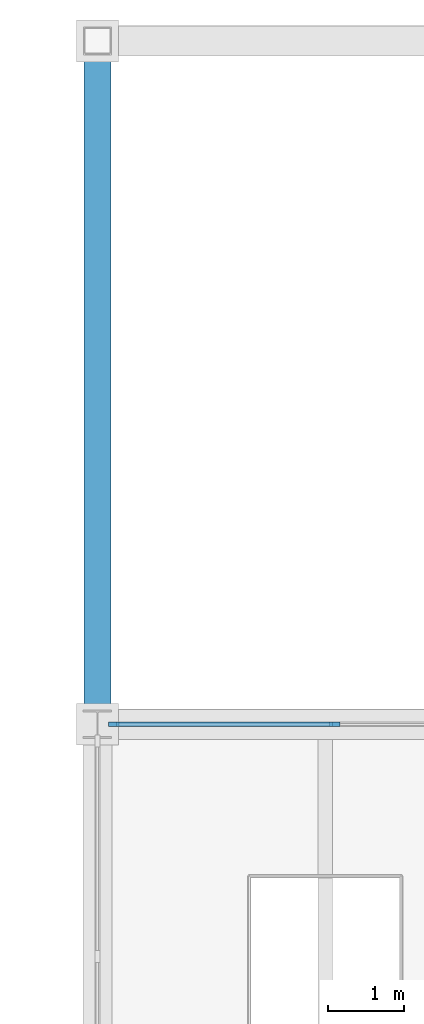
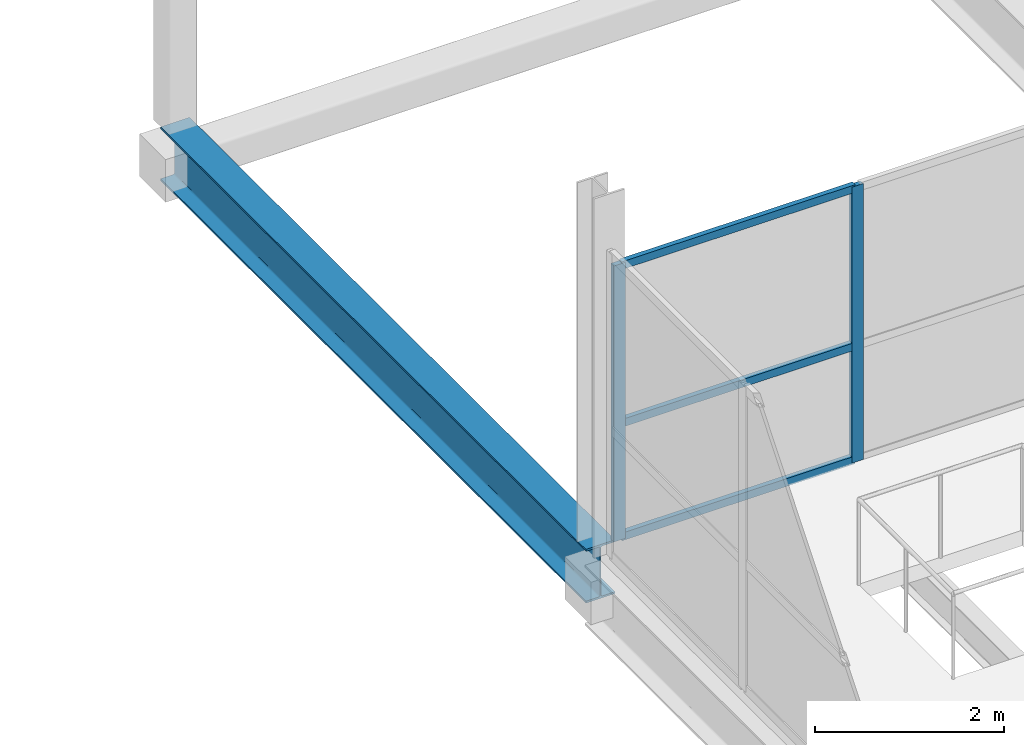
# One storey, part 30 of 69: 5 members, 1 beam, 1 element without a shape of its own.
"""IFC4 building model written with IfcOpenShell, lengths in metres."""

import ifcopenshell
import ifcopenshell.guid

model = None  # the IFC model being written
_history = None  # IfcOwnerHistory: only IFC2X3 demands one
_inside = {}  # id of a spatial element -> (the spatial element, [elements in it])
_under = {}  # id of a project, library or spatial element -> (it, [spatial elements below it])
_declared = {}  # id of a project -> (the project, [libraries it declares])
_typed = {}  # id of a type object -> (the type object, [elements of that type])
_made_of = {}  # id of a material, layer set ... -> (it, [elements and type objects made of it])


def new_model(schema):
    """Start an empty IFC model of exactly this schema.

    Asked for "IFC4X3", IfcOpenShell would pick the latest addendum, in which some entities
    have other attributes; the version numbers below select the first issue.
    IFC2X3 requires an IfcOwnerHistory on every rooted entity: one is made here for all.
    """
    global model, _history
    if schema == "IFC4X3":
        model = ifcopenshell.file(schema_version=(4, 3, 0, 0))
    else:
        model = ifcopenshell.file(schema=schema)
    _inside.clear()
    _under.clear()
    _declared.clear()
    _typed.clear()
    _made_of.clear()
    _history = None
    if model.schema == "IFC2X3":
        org = make("IfcOrganization", Name="unknown")
        user = make(
            "IfcPersonAndOrganization",
            ThePerson=make("IfcPerson", FamilyName="unknown"),
            TheOrganization=org,
        )
        app = make(
            "IfcApplication",
            ApplicationDeveloper=org,
            Version="unknown",
            ApplicationFullName="unknown",
            ApplicationIdentifier="unknown",
        )
        _history = make(
            "IfcOwnerHistory",
            OwningUser=user,
            OwningApplication=app,
            ChangeAction="ADDED",
            CreationDate=0,
        )
    return model


def make(cls, **values):
    """One entity of the class cls with the attributes given. An attribute that is None is left unset."""
    return model.create_entity(
        cls, **{name: value for name, value in values.items() if value is not None}
    )


def rooted(cls, **values):
    """An entity with a GlobalId (a new one), such as an element, a storey or a relation."""
    return make(cls, GlobalId=ifcopenshell.guid.new(), OwnerHistory=_history, **values)


def si_unit(unit_type, name, prefix=None):
    """IfcSIUnit, for example si_unit("LENGTHUNIT", "METRE", prefix="MILLI")."""
    return make("IfcSIUnit", UnitType=unit_type, Prefix=prefix, Name=name)


def assignment(units):
    """IfcUnitAssignment: the units of a project."""
    return None if units is None else make("IfcUnitAssignment", Units=units)


def point(xyz):
    """IfcCartesianPoint."""
    return None if xyz is None else make("IfcCartesianPoint", Coordinates=xyz)


def direction(xyz):
    """IfcDirection."""
    return None if xyz is None else make("IfcDirection", DirectionRatios=xyz)


def frame(location, z_axis=None, x_axis=None):
    """IfcAxis2Placement3D, a coordinate frame: its origin and axes. An axis left out is left unset."""
    return make(
        "IfcAxis2Placement3D",
        Location=point(location),
        Axis=direction(z_axis),
        RefDirection=direction(x_axis),
    )


def frame_2d(location, x_axis=None):
    """IfcAxis2Placement2D, a coordinate frame in the plane: its origin and x axis."""
    return make(
        "IfcAxis2Placement2D", Location=point(location), RefDirection=direction(x_axis)
    )


def origin():
    """The frame at (0, 0, 0) with its axes left unset."""
    return frame((0.0, 0.0, 0.0))


def origin_2d():
    """The frame at (0, 0) in the plane with its x axis left unset."""
    return frame_2d((0.0, 0.0))


def place(relative_to, where):
    """IfcLocalPlacement: puts the frame where relative to a parent placement (None: the world)."""
    return make(
        "IfcLocalPlacement", PlacementRelTo=relative_to, RelativePlacement=where
    )


def context(
    kind, dimensions, precision=None, world=None, true_north=None, identifier=None
):
    """IfcGeometricRepresentationContext, for example the 3D "Model" context."""
    return make(
        "IfcGeometricRepresentationContext",
        ContextIdentifier=identifier,
        ContextType=kind,
        CoordinateSpaceDimension=dimensions,
        Precision=precision,
        WorldCoordinateSystem=world,
        TrueNorth=true_north,
    )


def subcontext(parent, identifier, kind, view, scale=None):
    """IfcGeometricRepresentationSubContext, for example "Body" below "Model"."""
    return make(
        "IfcGeometricRepresentationSubContext",
        ContextIdentifier=identifier,
        ContextType=kind,
        ParentContext=parent,
        TargetScale=scale,
        TargetView=view,
    )


def project(units=None, contexts=None):
    """IfcProject with its units and contexts."""
    return rooted(
        "IfcProject",
        Name="project",
        RepresentationContexts=contexts,
        UnitsInContext=assignment(units),
    )


def spatial(cls, under=None, at=None, **own):
    """A site, building, storey or space (cls), placed at a placement, below another one or the project."""
    s = rooted(cls, ObjectPlacement=at, **own)
    if under is not None:
        _under.setdefault(under.id(), (under, []))[1].append(s)
    return s


def profile(cls, at=None, kind="AREA", **sizes):
    """A parametric profile (cls). Its sizes go by their IFC names, for example OverallWidth=200.0."""
    return make(cls, ProfileType=kind, Position=at, **sizes)


def rectangle(**sizes):
    """IfcRectangleProfileDef."""
    return profile("IfcRectangleProfileDef", **sizes)


def i_section(**sizes):
    """IfcIShapeProfileDef."""
    return profile("IfcIShapeProfileDef", **sizes)


def extrude(swept, where, along, depth):
    """IfcExtrudedAreaSolid: the profile swept, set in the frame where, extruded along a direction by depth."""
    return make(
        "IfcExtrudedAreaSolid",
        SweptArea=swept,
        Position=where,
        ExtrudedDirection=direction(along),
        Depth=depth,
    )


def shape(context_of_items, identifier, shape_type, items):
    """IfcShapeRepresentation: the items that make up one representation, for example the "Body"."""
    return make(
        "IfcShapeRepresentation",
        ContextOfItems=context_of_items,
        RepresentationIdentifier=identifier,
        RepresentationType=shape_type,
        Items=items,
    )


def material(Name=None, Category=None):
    """IfcMaterial."""
    return make("IfcMaterial", Name=Name, Category=Category)


def layer(
    of_material, thickness, ventilated=None, Name=None, Category=None, Priority=None
):
    """IfcMaterialLayer: one layer of a wall or slab, of a material (None: an air gap)."""
    return make(
        "IfcMaterialLayer",
        Material=of_material,
        LayerThickness=thickness,
        IsVentilated=ventilated,
        Name=Name,
        Category=Category,
        Priority=Priority,
    )


def layer_set(layers, Name=None):
    """IfcMaterialLayerSet."""
    return make("IfcMaterialLayerSet", MaterialLayers=layers, LayerSetName=Name)


def material_profile(
    of_material, cross_section, Name=None, Category=None, Priority=None
):
    """IfcMaterialProfile: a cross section and its material."""
    return make(
        "IfcMaterialProfile",
        Name=Name,
        Material=of_material,
        Profile=cross_section,
        Priority=Priority,
        Category=Category,
    )


def profile_set(profiles, Name=None, composite=None):
    """IfcMaterialProfileSet."""
    return make(
        "IfcMaterialProfileSet",
        Name=Name,
        MaterialProfiles=profiles,
        CompositeProfile=composite,
    )


def made_of(thing, what):
    """Note that an element or type object is made of a material, layer set ...; save() writes the relation."""
    if what is not None:
        _made_of.setdefault(what.id(), (what, []))[1].append(thing)
    return thing


def type_object(cls, material=None, **own):
    """A type object (cls), such as IfcWallType, which elements share."""
    return made_of(rooted(cls, **own), material)


def element(
    cls,
    number,
    at=None,
    inside=None,
    cuts=None,
    type_object=None,
    material=None,
    context=None,
    identifier="Body",
    shape_type=None,
    held_by="IfcProductDefinitionShape",
    body=None,
    shapes=None,
    **own,
):
    """One element of the class cls, such as IfcWall. Its Tag is "e" and its number.

    at: its placement. inside: the storey or other place that contains it. cuts: it is an
    opening in that element (IfcRelVoidsElement). A single representation is given by context,
    identifier, shape_type and body (its items); several are given by shapes. held_by: the class
    of the entity that holds the representations. save() writes the other relations.
    """
    e = rooted(cls, Tag="e%d" % number, ObjectPlacement=at, **own)
    if body is not None:
        shapes = [shape(context, identifier, shape_type, body)]
    if shapes is not None:
        e.Representation = make(held_by, Representations=shapes)
    if inside is not None:
        _inside.setdefault(inside.id(), (inside, []))[1].append(e)
    if cuts is not None:
        rooted(
            "IfcRelVoidsElement", RelatingBuildingElement=cuts, RelatedOpeningElement=e
        )
    if type_object is not None:
        _typed.setdefault(type_object.id(), (type_object, []))[1].append(e)
    return made_of(e, material)


def aggregate(whole, parts):
    """IfcRelAggregates: a whole, such as a stair, and the parts it consists of."""
    return rooted("IfcRelAggregates", RelatingObject=whole, RelatedObjects=parts)


def save(model, path):
    """Write the relations noted so far, then the file.

    IfcRelAggregates (storeys below a building ...), IfcRelContainedInSpatialStructure (elements
    in a storey), IfcRelDefinesByType, IfcRelAssociatesMaterial and IfcRelDeclares: one each for
    every whole, place, type object, material and project.
    """
    for whole, parts in _under.values():
        aggregate(whole, parts)
    for where, things in _inside.values():
        rooted(
            "IfcRelContainedInSpatialStructure",
            RelatedElements=things,
            RelatingStructure=where,
        )
    for kind, things in _typed.values():
        rooted("IfcRelDefinesByType", RelatedObjects=things, RelatingType=kind)
    for what, things in _made_of.values():
        rooted("IfcRelAssociatesMaterial", RelatedObjects=things, RelatingMaterial=what)
    for by, libraries in _declared.values():
        rooted("IfcRelDeclares", RelatingContext=by, RelatedDefinitions=libraries)
    model.write(path)


model = new_model("IFC4")

# Units and contexts
model_context = context("Model", 3, precision=1e-05, world=origin(), true_north=direction((0.0, 1.0)))
body_context = subcontext(model_context, "Body", "Model", "MODEL_VIEW")
ifc_project = project(units=[si_unit("LENGTHUNIT", "METRE"), si_unit("AREAUNIT", "SQUARE_METRE"), si_unit("VOLUMEUNIT", "CUBIC_METRE"), si_unit("PLANEANGLEUNIT", "RADIAN"), si_unit("MASSUNIT", "GRAM", prefix="KILO")], contexts=[model_context])

# Site, building, storey
site_placement = place(None, origin())
site = spatial("IfcSite", under=ifc_project, at=site_placement, CompositionType="ELEMENT")
building_placement = place(site_placement, origin())
building = spatial("IfcBuilding", under=site, at=building_placement, Name="Qamarlyn Nura Convention Centre", CompositionType="ELEMENT")
storey_placement = place(building_placement, frame((0.0, 0.0, 15.60009765625)))
storey = spatial("IfcBuildingStorey", under=building, at=storey_placement, Name="L03", CompositionType="ELEMENT", Elevation=15.60009765625)

# Beam
ifc_material_1 = material(Name="Steel ASTM A992", Category="steel")
ifc_material_profile_1 = material_profile(ifc_material_1, i_section(OverallWidth=0.35498046875, OverallDepth=0.695068359375, WebThickness=0.015380859375, FlangeThickness=0.02490234375, FilletRadius=0.01806640625, at=origin_2d()), Name="W690X217")
ifc_profile_set_1 = profile_set([ifc_material_profile_1], Name="Steel ASTM A992")
beam_type = type_object("IfcBeamType", Name="BM-GIRD-690A", PredefinedType="BEAM", material=ifc_profile_set_1)
beam_placement = place(storey_placement, frame((144.0, 117.0, -0.34765625), z_axis=(0.0, 1.0, 0.0), x_axis=(-1.0, 0.0, 0.0)))
element("IfcBeam", 1, at=beam_placement, inside=storey, type_object=beam_type, Name="L03 girder 12 P-Q", PredefinedType="BEAM", context=body_context, shape_type="SweptSolid", body=[
    extrude(i_section(OverallWidth=0.35498046875, OverallDepth=0.695068359375, WebThickness=0.015380859375, FlangeThickness=0.02490234375, FilletRadius=0.01806640625, at=origin_2d()), origin(), (0.0, 0.0, 1.0), 9.0),
])

# Curtain wall, members
ifc_material_2 = material(Name="Double-silver low-E insulated glass", Category="glass")
ifc_layer = layer(ifc_material_2, 0.179931640625, Name="CW-UNIT-130")
ifc_layer_set = layer_set([ifc_layer], Name="Double-silver low-E insulated glass")
curtain_wall_type = type_object("IfcCurtainWallType", Name="CW-UNIT-130", PredefinedType="NOTDEFINED", material=ifc_layer_set)
curtain_wall_placement = place(storey_placement, origin())
curtain_wall = element("IfcCurtainWall", 2, at=curtain_wall_placement, inside=storey, type_object=curtain_wall_type, Name="L03 unitised curtain wall PLN-N1-1", PredefinedType="NOTDEFINED")
ifc_material_3 = material(Name="Champagne-anodised marine aluminium", Category="aluminium")
ifc_material_profile_2 = material_profile(ifc_material_3, rectangle(XDim=0.06005859375, YDim=0.139892578125, at=origin_2d()), Name="ALU MULLION 60x140")
ifc_profile_set_2 = profile_set([ifc_material_profile_2], Name="Champagne-anodised marine aluminium")
member_type_1 = type_object("IfcMemberType", Name="CWM-140", PredefinedType="MULLION", material=ifc_profile_set_2)
member_1_placement = place(storey_placement, frame((144.217041015625, 117.0, 0.0), z_axis=(0.0, 0.0, 1.0), x_axis=(0.0, 1.0, 0.0)))
member_1 = element("IfcMember", 3, at=member_1_placement, type_object=member_type_1, Name="CW130 mullion 1", PredefinedType="MULLION", context=body_context, shape_type="SweptSolid", body=[
    extrude(rectangle(XDim=0.06005859375, YDim=0.139892578125, at=origin_2d()), origin(), (0.0, 0.0, 1.0), 3.5634765625),
])
member_2_placement = place(storey_placement, frame((147.124755859375, 117.0, 0.0), z_axis=(0.0, 0.0, 1.0), x_axis=(0.0, 1.0, 0.0)))
member_2 = element("IfcMember", 4, at=member_2_placement, type_object=member_type_1, Name="CW130 mullion 2", PredefinedType="MULLION", context=body_context, shape_type="SweptSolid", body=[
    extrude(rectangle(XDim=0.06005859375, YDim=0.139892578125, at=origin_2d()), origin(), (0.0, 0.0, 1.0), 3.5634765625),
])
ifc_material_profile_3 = material_profile(ifc_material_3, rectangle(XDim=0.06005859375, YDim=0.10009765625, at=origin_2d()), Name="ALU TRANSOM 60x100")
ifc_profile_set_3 = profile_set([ifc_material_profile_3], Name="Champagne-anodised marine aluminium")
member_type_2 = type_object("IfcMemberType", Name="CWT-100", PredefinedType="USERDEFINED", material=ifc_profile_set_3)
member_3_placement = place(storey_placement, frame((144.2470703125, 117.0, 0.02978515625), z_axis=(1.0, 0.0, 0.0), x_axis=(0.0, 1.0, 0.0)))
member_3 = element("IfcMember", 5, at=member_3_placement, type_object=member_type_2, Name="CW130 transom 1.1", ObjectType="TRANSOM", PredefinedType="USERDEFINED", context=body_context, shape_type="SweptSolid", body=[
    extrude(rectangle(XDim=0.06005859375, YDim=0.10009765625, at=origin_2d()), origin(), (0.0, 0.0, 1.0), 2.84765625),
])
member_4_placement = place(storey_placement, frame((144.2470703125, 117.0, 1.496826171875), z_axis=(1.0, 0.0, 0.0), x_axis=(0.0, 1.0, 0.0)))
member_4 = element("IfcMember", 6, at=member_4_placement, type_object=member_type_2, Name="CW130 transom 1.2", ObjectType="TRANSOM", PredefinedType="USERDEFINED", context=body_context, shape_type="SweptSolid", body=[
    extrude(rectangle(XDim=0.06005859375, YDim=0.10009765625, at=origin_2d()), origin(), (0.0, 0.0, 1.0), 2.84765625),
])
member_5_placement = place(storey_placement, frame((144.2470703125, 117.0, 3.533447265625), z_axis=(1.0, 0.0, 0.0), x_axis=(0.0, 1.0, 0.0)))
member_5 = element("IfcMember", 7, at=member_5_placement, type_object=member_type_2, Name="CW130 transom 1.3", ObjectType="TRANSOM", PredefinedType="USERDEFINED", context=body_context, shape_type="SweptSolid", body=[
    extrude(rectangle(XDim=0.06005859375, YDim=0.10009765625, at=origin_2d()), origin(), (0.0, 0.0, 1.0), 2.84765625),
])
aggregate(curtain_wall, [member_1, member_2, member_3, member_4, member_5])

save(model, "model.ifc")
